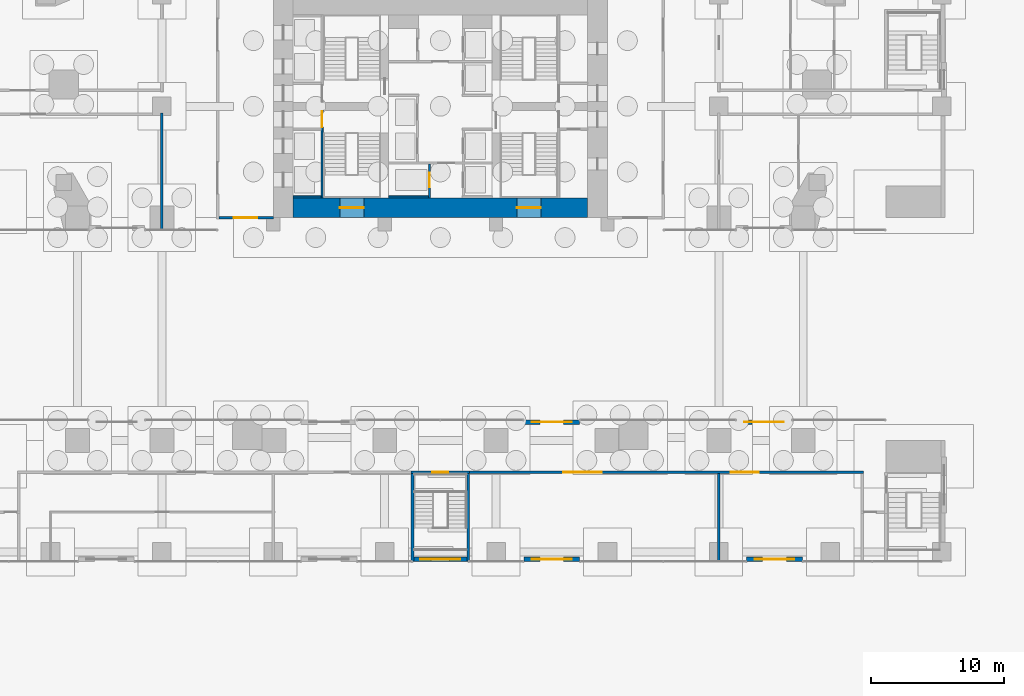
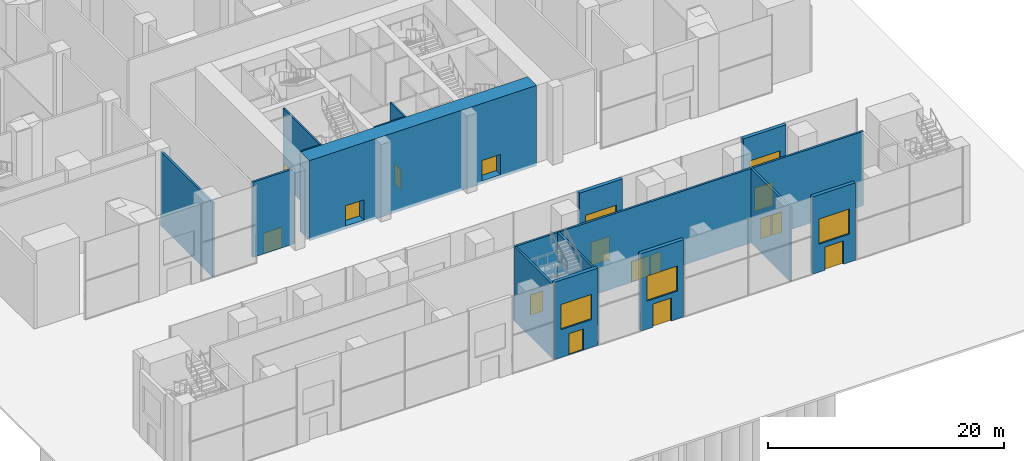
# One storey, part 14 of 31: 17 walls, 15 doors, 5 windows, 20 openings.
"""IFC4 building model written with IfcOpenShell, lengths in metres."""

from ifc_helpers import new_model, si_unit, direction, frame, frame_2d, origin, place, context, subcontext, project, spatial, rectangle, extrude, material, layer, layer_set, type_object, element, fill, save


model = new_model("IFC4")

# Units and contexts
model_context = context("Model", 3, precision=1e-05, world=origin(), true_north=direction((0.0, 1.0)))
body_context = subcontext(model_context, "Body", "Model", "MODEL_VIEW")
ifc_project = project(units=[si_unit("LENGTHUNIT", "METRE"), si_unit("AREAUNIT", "SQUARE_METRE"), si_unit("VOLUMEUNIT", "CUBIC_METRE"), si_unit("PLANEANGLEUNIT", "RADIAN"), si_unit("MASSUNIT", "GRAM", prefix="KILO")], contexts=[model_context])

# Site, building, storey
site_placement = place(None, origin())
site = spatial("IfcSite", under=ifc_project, at=site_placement, CompositionType="ELEMENT")
building_placement = place(site_placement, origin())
building = spatial("IfcBuilding", under=site, at=building_placement, Name="Marenta Gate Hotel Tower", CompositionType="ELEMENT")
storey_placement = place(building_placement, origin())
storey = spatial("IfcBuildingStorey", under=building, at=storey_placement, Name="L00", CompositionType="ELEMENT", Elevation=0.0)

# Wall, opening, door
ifc_material_1 = material(Name="Concrete blockwork", Category="masonry")
ifc_layer_1 = layer(ifc_material_1, 0.199951171875)
ifc_layer_set_1 = layer_set([ifc_layer_1], Name="Concrete blockwork")
wall_type_1 = type_object("IfcWallType", Name="Core boundary wall 200 REI 180", PredefinedType="PARTITIONING", material=ifc_layer_set_1)
wall_1_placement = place(storey_placement, frame((-16.699951171875, 0.0, 0.0), z_axis=(0.0, 0.0, 1.0), x_axis=(1.0, 0.0, 0.0)))
wall_1 = element("IfcWall", 1, at=wall_1_placement, inside=storey, type_object=wall_type_1, Name="L00-CP-EW-WS", PredefinedType="PARTITIONING", context=body_context, shape_type="SweptSolid", body=[
    extrude(rectangle(XDim=4.099853515625, YDim=0.199951171875, at=frame_2d((2.0498046875, 0.0))), origin(), (0.0, 0.0, 1.0), 7.780029296875),
])
opening_1_placement = place(wall_1_placement, frame((1.10009765625, 0.0, 0.0)))
opening_1 = element("IfcOpeningElement", 2, at=opening_1_placement, cuts=wall_1, Name="Opening XD-W", PredefinedType="OPENING", context=body_context, shape_type="SweptSolid", body=[
    extrude(rectangle(XDim=1.800048828125, YDim=2.10009765625, at=frame_2d((0.89990234375, 1.050048828125))), frame((0.0, 0.10009765625, 0.0), z_axis=(0.0, -1.0, 0.0), x_axis=(1.0, 0.0, 0.0)), (0.0, 0.0, 1.0), 0.199951171875),
])
ifc_material_2 = material(Name="Steel", Category="steel")
door_type_1 = type_object("IfcDoorType", Name="Core stair discharge door 1800x2100 EI 60", OperationType="DOUBLE_DOOR_SINGLE_SWING", PredefinedType="DOOR", material=ifc_material_2)
door_1_placement = place(opening_1_placement, frame((1.800048828125, 0.0, 0.0), z_axis=(0.0, 0.0, 1.0), x_axis=(-1.0, 0.0, 0.0)))
door_1 = element("IfcDoor", 3, at=door_1_placement, inside=storey, type_object=door_type_1, Name="XD-W", OperationType="DOUBLE_DOOR_SINGLE_SWING", OverallHeight=2.10009765625, OverallWidth=1.800048828125, PredefinedType="DOOR", context=body_context, shape_type="SweptSolid", body=[
    extrude(rectangle(XDim=1.800048828125, YDim=2.10009765625, at=frame_2d((0.89990234375, 1.050048828125))), frame((0.0, 0.02490234375, 0.0), z_axis=(0.0, -1.0, 0.0), x_axis=(1.0, 0.0, 0.0)), (0.0, 0.0, 1.0), 0.050048828125),
])
fill(opening_1, door_1)

# Wall
ifc_material_3 = material(Name="Concrete C40", Category="concrete")
ifc_layer_2 = layer(ifc_material_3, 0.14990234375)
ifc_layer_set_2 = layer_set([ifc_layer_2], Name="Concrete C40")
wall_type_2 = type_object("IfcWallType", Name="Core shaft wall 150 REI 180", PredefinedType="SHEAR", material=ifc_layer_set_2)
wall_2_placement = place(storey_placement, frame((-11.10009765625, 1.574951171875, -0.300048828125), z_axis=(0.0, 0.0, 1.0), x_axis=(1.0, 0.0, 0.0)))
element("IfcWall", 4, at=wall_2_placement, inside=storey, type_object=wall_type_2, Name="L00-SHF-SW-WS-5", PredefinedType="SHEAR", context=body_context, shape_type="SweptSolid", body=[
    extrude(rectangle(XDim=2.10009765625, YDim=0.14990234375, at=frame_2d((1.050048828125, 0.0))), origin(), (0.0, 0.0, 1.0), 8.300048828125),
])

# Wall, opening, door
wall_3_placement = place(storey_placement, frame((-0.824951171875, 1.5, -0.300048828125), z_axis=(0.0, 0.0, 1.0), x_axis=(0.0, 1.0, 0.0)))
wall_3 = element("IfcWall", 5, at=wall_3_placement, inside=storey, type_object=wall_type_2, Name="L00-SHF-CW-W-ff", PredefinedType="SHEAR", context=body_context, shape_type="SweptSolid", body=[
    extrude(rectangle(XDim=2.550048828125, YDim=0.14990234375, at=frame_2d((1.27490234375, 0.0))), origin(), (0.0, 0.0, 1.0), 8.300048828125),
])
opening_2_placement = place(wall_3_placement, frame((0.800048828125, 0.0, 0.300048828125)))
opening_2 = element("IfcOpeningElement", 6, at=opening_2_placement, cuts=wall_3, Name="Opening LD-FF1", PredefinedType="OPENING", context=body_context, shape_type="SweptSolid", body=[
    extrude(rectangle(XDim=1.10009765625, YDim=2.10009765625, at=frame_2d((0.550048828125, 1.050048828125))), frame((0.0, 0.074951171875, 0.0), z_axis=(0.0, -1.0, 0.0), x_axis=(1.0, 0.0, 0.0)), (0.0, 0.0, 1.0), 0.14990234375),
])
ifc_material_4 = material(Name="Steel", Category="steel")
door_type_2 = type_object("IfcDoorType", Name="Core lift landing door 1100x2100 E 60", OperationType="SLIDING_TO_LEFT", PredefinedType="DOOR", material=ifc_material_4)
door_2_placement = place(opening_2_placement, origin())
door_2 = element("IfcDoor", 7, at=door_2_placement, inside=storey, type_object=door_type_2, Name="LD-FF1", OperationType="SLIDING_TO_LEFT", OverallHeight=2.10009765625, OverallWidth=1.10009765625, PredefinedType="DOOR", context=body_context, shape_type="SweptSolid", body=[
    extrude(rectangle(XDim=1.10009765625, YDim=2.10009765625, at=frame_2d((0.550048828125, 1.050048828125))), frame((0.0, 0.02490234375, 0.0), z_axis=(0.0, -1.0, 0.0), x_axis=(1.0, 0.0, 0.0)), (0.0, 0.0, 1.0), 0.050048828125),
])
fill(opening_2, door_2)

# Wall
wall_4_placement = place(storey_placement, frame((-3.89990234375, 1.574951171875, -0.300048828125), z_axis=(0.0, 0.0, 1.0), x_axis=(1.0, 0.0, 0.0)))
element("IfcWall", 8, at=wall_4_placement, inside=storey, type_object=wall_type_2, Name="L00-SHF-CW-W-ffs", PredefinedType="SHEAR", context=body_context, shape_type="SweptSolid", body=[
    extrude(rectangle(XDim=3.0, YDim=0.14990234375, at=frame_2d((1.5, 0.0))), origin(), (0.0, 0.0, 1.0), 8.300048828125),
])

# Wall, opening, door
ifc_material_5 = material(Name="Concrete C40", Category="concrete")
ifc_layer_3 = layer(ifc_material_5, 0.14990234375)
ifc_layer_set_3 = layer_set([ifc_layer_3], Name="Concrete C40")
wall_type_3 = type_object("IfcWallType", Name="Core stair enclosure wall 150 REI 180", PredefinedType="SHEAR", material=ifc_layer_set_3)
wall_5_placement = place(storey_placement, frame((-8.925048828125, 1.5, 0.0), z_axis=(0.0, 0.0, 1.0), x_axis=(0.0, 1.0, 0.0)))
wall_5 = element("IfcWall", 9, at=wall_5_placement, inside=storey, type_object=wall_type_3, Name="L00-SHF-SW-WS-3", PredefinedType="SHEAR", context=body_context, shape_type="SweptSolid", body=[
    extrude(rectangle(XDim=6.60009765625, YDim=0.14990234375, at=frame_2d((3.300048828125, 0.0))), origin(), (0.0, 0.0, 1.0), 7.780029296875),
])
opening_3_placement = place(wall_5_placement, frame((5.324951171875, 0.0, 0.0)))
opening_3 = element("IfcOpeningElement", 10, at=opening_3_placement, cuts=wall_5, Name="Opening SD-WS", PredefinedType="OPENING", context=body_context, shape_type="SweptSolid", body=[
    extrude(rectangle(XDim=1.199951171875, YDim=2.10009765625, at=frame_2d((0.60009765625, 1.050048828125))), frame((0.0, 0.074951171875, 0.0), z_axis=(0.0, -1.0, 0.0), x_axis=(1.0, 0.0, 0.0)), (0.0, 0.0, 1.0), 0.14990234375),
])
ifc_material_6 = material(Name="Steel", Category="steel")
door_type_3 = type_object("IfcDoorType", Name="Core stair door 1200x2100 FD60", OperationType="SINGLE_SWING_LEFT", PredefinedType="DOOR", material=ifc_material_6)
door_3_placement = place(opening_3_placement, origin())
door_3 = element("IfcDoor", 11, at=door_3_placement, inside=storey, type_object=door_type_3, Name="SD-WS", OperationType="SINGLE_SWING_LEFT", OverallHeight=2.10009765625, OverallWidth=1.199951171875, PredefinedType="DOOR", context=body_context, shape_type="SweptSolid", body=[
    extrude(rectangle(XDim=1.199951171875, YDim=2.10009765625, at=frame_2d((0.60009765625, 1.050048828125))), frame((0.0, 0.02490234375, 0.0), z_axis=(0.0, -1.0, 0.0), x_axis=(1.0, 0.0, 0.0)), (0.0, 0.0, 1.0), 0.050048828125),
])
fill(opening_3, door_3)

# Wall, openings, doors
ifc_material_7 = material(Name="Concrete C80", Category="concrete")
ifc_layer_4 = layer(ifc_material_7, 1.5)
ifc_layer_set_4 = layer_set([ifc_layer_4], Name="Concrete C80")
wall_type_4 = type_object("IfcWallType", Name="Core wall 1500 C80", PredefinedType="SHEAR", material=ifc_layer_set_4)
wall_6_placement = place(storey_placement, frame((-11.10009765625, 0.75, -0.300048828125), z_axis=(0.0, 0.0, 1.0), x_axis=(1.0, 0.0, 0.0)))
wall_6 = element("IfcWall", 12, at=wall_6_placement, inside=storey, type_object=wall_type_4, Name="L00-CORE-S", PredefinedType="SHEAR", context=body_context, shape_type="SweptSolid", body=[
    extrude(rectangle(XDim=22.2001953125, YDim=1.5, at=frame_2d((11.10009765625, 0.0))), origin(), (0.0, 0.0, 1.0), 8.300048828125),
])
opening_4_placement = place(wall_6_placement, frame((3.52490234375, 0.0, 0.300048828125)))
opening_4 = element("IfcOpeningElement", 13, at=opening_4_placement, cuts=wall_6, Name="Opening XS-W", PredefinedType="OPENING", context=body_context, shape_type="SweptSolid", body=[
    extrude(rectangle(XDim=1.800048828125, YDim=2.10009765625, at=frame_2d((0.89990234375, 1.050048828125))), frame((0.0, 0.75, 0.0), z_axis=(0.0, -1.0, 0.0), x_axis=(1.0, 0.0, 0.0)), (0.0, 0.0, 1.0), 1.5),
])
opening_5_placement = place(wall_6_placement, frame((16.875, 0.0, 0.300048828125)))
opening_5 = element("IfcOpeningElement", 14, at=opening_5_placement, cuts=wall_6, Name="Opening XS-E", PredefinedType="OPENING", context=body_context, shape_type="SweptSolid", body=[
    extrude(rectangle(XDim=1.800048828125, YDim=2.10009765625, at=frame_2d((0.89990234375, 1.050048828125))), frame((0.0, 0.75, 0.0), z_axis=(0.0, -1.0, 0.0), x_axis=(1.0, 0.0, 0.0)), (0.0, 0.0, 1.0), 1.5),
])
door_4_placement = place(opening_4_placement, frame((1.800048828125, 0.0, 0.0), z_axis=(0.0, 0.0, 1.0), x_axis=(-1.0, 0.0, 0.0)))
door_4 = element("IfcDoor", 15, at=door_4_placement, inside=storey, type_object=door_type_1, Name="XS-W", OperationType="DOUBLE_DOOR_SINGLE_SWING", OverallHeight=2.10009765625, OverallWidth=1.800048828125, PredefinedType="DOOR", context=body_context, shape_type="SweptSolid", body=[
    extrude(rectangle(XDim=1.800048828125, YDim=2.10009765625, at=frame_2d((0.89990234375, 1.050048828125))), frame((0.0, 0.02490234375, 0.0), z_axis=(0.0, -1.0, 0.0), x_axis=(1.0, 0.0, 0.0)), (0.0, 0.0, 1.0), 0.050048828125),
])
fill(opening_4, door_4)
door_5_placement = place(opening_5_placement, frame((1.800048828125, 0.0, 0.0), z_axis=(0.0, 0.0, 1.0), x_axis=(-1.0, 0.0, 0.0)))
door_5 = element("IfcDoor", 16, at=door_5_placement, inside=storey, type_object=door_type_1, Name="XS-E", OperationType="DOUBLE_DOOR_SINGLE_SWING", OverallHeight=2.10009765625, OverallWidth=1.800048828125, PredefinedType="DOOR", context=body_context, shape_type="SweptSolid", body=[
    extrude(rectangle(XDim=1.800048828125, YDim=2.10009765625, at=frame_2d((0.89990234375, 1.050048828125))), frame((0.0, 0.02490234375, 0.0), z_axis=(0.0, -1.0, 0.0), x_axis=(1.0, 0.0, 0.0)), (0.0, 0.0, 1.0), 0.050048828125),
])
fill(opening_5, door_5)

# Wall, openings, door, window
ifc_material_8 = material(Name="Concrete C40 board-marked", Category="concrete")
ifc_layer_5 = layer(ifc_material_8, 0.35009765625)
ifc_layer_set_5 = layer_set([ifc_layer_5], Name="Concrete C40 board-marked")
wall_type_5 = type_object("IfcWallType", Name="Entrance portal wall 350 mm", PredefinedType="NOTDEFINED", material=ifc_layer_set_5)
wall_7_placement = place(storey_placement, frame((-2.10009765625, -25.763916015625, 0.0), z_axis=(0.0, 0.0, 1.0), x_axis=(1.0, 0.0, 0.0)))
wall_7 = element("IfcWall", 17, at=wall_7_placement, inside=storey, type_object=wall_type_5, Name="L00-CLD-SB-S-P2", PredefinedType="NOTDEFINED", context=body_context, shape_type="SweptSolid", body=[
    extrude(rectangle(XDim=4.2001953125, YDim=0.35009765625, at=frame_2d((2.10009765625, 0.0))), origin(), (0.0, 0.0, 1.0), 8.0),
])
opening_6_placement = place(wall_7_placement, frame((1.39990234375, 0.0, 0.0)))
opening_6 = element("IfcOpeningElement", 18, at=opening_6_placement, cuts=wall_7, Name="Opening X03", PredefinedType="OPENING", context=body_context, shape_type="SweptSolid", body=[
    extrude(rectangle(XDim=1.39990234375, YDim=2.199951171875, at=frame_2d((0.699951171875, 1.10009765625))), frame((0.0, 0.175048828125, 0.0), z_axis=(0.0, -1.0, 0.0), x_axis=(1.0, 0.0, 0.0)), (0.0, 0.0, 1.0), 0.35009765625),
])
opening_7_placement = place(wall_7_placement, frame((0.60009765625, 0.0, 2.89990234375)))
opening_7 = element("IfcOpeningElement", 19, at=opening_7_placement, cuts=wall_7, Name="Opening WT", PredefinedType="OPENING", context=body_context, shape_type="SweptSolid", body=[
    extrude(rectangle(XDim=3.0, YDim=2.60009765625, at=frame_2d((1.5, 1.300048828125))), frame((0.0, 0.175048828125, 0.0), z_axis=(0.0, -1.0, 0.0), x_axis=(1.0, 0.0, 0.0)), (0.0, 0.0, 1.0), 0.35009765625),
])
ifc_material_9 = material(Name="Bronze anodised aluminium and glass", Category="aluminium")
door_type_4 = type_object("IfcDoorType", Name="Exterior door XB 1400x2200", OperationType="NOTDEFINED", PredefinedType="DOOR", material=ifc_material_9)
door_6_placement = place(opening_6_placement, frame((1.39990234375, 0.0, 0.0), z_axis=(0.0, 0.0, 1.0), x_axis=(-1.0, 0.0, 0.0)))
door_6 = element("IfcDoor", 20, at=door_6_placement, inside=storey, type_object=door_type_4, Name="Entrance door X03", OperationType="SINGLE_SWING_LEFT", OverallHeight=2.199951171875, OverallWidth=1.39990234375, PredefinedType="DOOR", context=body_context, shape_type="SweptSolid", body=[
    extrude(rectangle(XDim=1.39990234375, YDim=2.199951171875, at=frame_2d((0.699951171875, 1.10009765625))), frame((0.0, 0.02490234375, 0.0), z_axis=(0.0, -1.0, 0.0), x_axis=(1.0, 0.0, 0.0)), (0.0, 0.0, 1.0), 0.050048828125),
])
fill(opening_6, door_6)
ifc_material_10 = material(Name="Tinted insulated glass in bronze anodised frame", Category="glass")
window_type = type_object("IfcWindowType", Name="Window WT 3000x2600 bronze frame", PartitioningType="SINGLE_PANEL", PredefinedType="WINDOW", material=ifc_material_10)
window_1_placement = place(opening_7_placement, origin())
window_1 = element("IfcWindow", 21, at=window_1_placement, inside=storey, type_object=window_type, Name="Window WT", OverallHeight=2.60009765625, OverallWidth=3.0, PartitioningType="SINGLE_PANEL", PredefinedType="WINDOW", context=body_context, shape_type="SweptSolid", body=[
    extrude(rectangle(XDim=3.0, YDim=2.60009765625, at=frame_2d((1.5, 1.300048828125))), frame((0.0, 0.030029296875, 0.0), z_axis=(0.0, -1.0, 0.0), x_axis=(1.0, 0.0, 0.0)), (0.0, 0.0, 1.0), 0.06005859375),
])
fill(opening_7, window_1)

wall_8_placement = place(storey_placement, frame((6.300048828125, -25.763916015625, 0.0), z_axis=(0.0, 0.0, 1.0), x_axis=(1.0, 0.0, 0.0)))
wall_8 = element("IfcWall", 22, at=wall_8_placement, inside=storey, type_object=wall_type_5, Name="L00-CLD-SB-S-P3", PredefinedType="NOTDEFINED", context=body_context, shape_type="SweptSolid", body=[
    extrude(rectangle(XDim=4.199951171875, YDim=0.35009765625, at=frame_2d((2.10009765625, 0.0))), origin(), (0.0, 0.0, 1.0), 8.0),
])
opening_8_placement = place(wall_8_placement, frame((1.199951171875, 0.0, 0.0)))
opening_8 = element("IfcOpeningElement", 23, at=opening_8_placement, cuts=wall_8, Name="Opening X04", PredefinedType="OPENING", context=body_context, shape_type="SweptSolid", body=[
    extrude(rectangle(XDim=1.800048828125, YDim=2.39990234375, at=frame_2d((0.89990234375, 1.199951171875))), frame((0.0, 0.175048828125, 0.0), z_axis=(0.0, -1.0, 0.0), x_axis=(1.0, 0.0, 0.0)), (0.0, 0.0, 1.0), 0.35009765625),
])
opening_9_placement = place(wall_8_placement, frame((0.60009765625, 0.0, 2.89990234375)))
opening_9 = element("IfcOpeningElement", 24, at=opening_9_placement, cuts=wall_8, Name="Opening WT", PredefinedType="OPENING", context=body_context, shape_type="SweptSolid", body=[
    extrude(rectangle(XDim=3.0, YDim=2.60009765625, at=frame_2d((1.5, 1.300048828125))), frame((0.0, 0.175048828125, 0.0), z_axis=(0.0, -1.0, 0.0), x_axis=(1.0, 0.0, 0.0)), (0.0, 0.0, 1.0), 0.35009765625),
])
ifc_material_11 = material(Name="Bronze anodised aluminium and glass", Category="aluminium")
door_type_5 = type_object("IfcDoorType", Name="Exterior door XS 1800x2400", OperationType="DOUBLE_DOOR_DOUBLE_SWING", PredefinedType="DOOR", material=ifc_material_11)
door_7_placement = place(opening_8_placement, frame((1.800048828125, 0.0, 0.0), z_axis=(0.0, 0.0, 1.0), x_axis=(-1.0, 0.0, 0.0)))
door_7 = element("IfcDoor", 25, at=door_7_placement, inside=storey, type_object=door_type_5, Name="Entrance door X04", OperationType="DOUBLE_DOOR_DOUBLE_SWING", OverallHeight=2.39990234375, OverallWidth=1.800048828125, PredefinedType="DOOR", context=body_context, shape_type="SweptSolid", body=[
    extrude(rectangle(XDim=1.800048828125, YDim=2.39990234375, at=frame_2d((0.89990234375, 1.199951171875))), frame((0.0, 0.02490234375, 0.0), z_axis=(0.0, -1.0, 0.0), x_axis=(1.0, 0.0, 0.0)), (0.0, 0.0, 1.0), 0.050048828125),
])
fill(opening_8, door_7)
window_2_placement = place(opening_9_placement, origin())
window_2 = element("IfcWindow", 26, at=window_2_placement, inside=storey, type_object=window_type, Name="Window WT", OverallHeight=2.60009765625, OverallWidth=3.0, PartitioningType="SINGLE_PANEL", PredefinedType="WINDOW", context=body_context, shape_type="SweptSolid", body=[
    extrude(rectangle(XDim=3.0, YDim=2.60009765625, at=frame_2d((1.5, 1.300048828125))), frame((0.0, 0.030029296875, 0.0), z_axis=(0.0, -1.0, 0.0), x_axis=(1.0, 0.0, 0.0)), (0.0, 0.0, 1.0), 0.06005859375),
])
fill(opening_9, window_2)

wall_9_placement = place(storey_placement, frame((23.10009765625, -25.763916015625, 0.0), z_axis=(0.0, 0.0, 1.0), x_axis=(1.0, 0.0, 0.0)))
wall_9 = element("IfcWall", 27, at=wall_9_placement, inside=storey, type_object=wall_type_5, Name="L00-CLD-SB-S-P4", PredefinedType="NOTDEFINED", context=body_context, shape_type="SweptSolid", body=[
    extrude(rectangle(XDim=4.199951171875, YDim=0.35009765625, at=frame_2d((2.10009765625, 0.0))), origin(), (0.0, 0.0, 1.0), 8.0),
])
opening_10_placement = place(wall_9_placement, frame((1.199951171875, 0.0, 0.0)))
opening_10 = element("IfcOpeningElement", 28, at=opening_10_placement, cuts=wall_9, Name="Opening X05", PredefinedType="OPENING", context=body_context, shape_type="SweptSolid", body=[
    extrude(rectangle(XDim=1.800048828125, YDim=2.39990234375, at=frame_2d((0.89990234375, 1.199951171875))), frame((0.0, 0.175048828125, 0.0), z_axis=(0.0, -1.0, 0.0), x_axis=(1.0, 0.0, 0.0)), (0.0, 0.0, 1.0), 0.35009765625),
])
opening_11_placement = place(wall_9_placement, frame((0.60009765625, 0.0, 2.89990234375)))
opening_11 = element("IfcOpeningElement", 29, at=opening_11_placement, cuts=wall_9, Name="Opening WT", PredefinedType="OPENING", context=body_context, shape_type="SweptSolid", body=[
    extrude(rectangle(XDim=3.0, YDim=2.60009765625, at=frame_2d((1.5, 1.300048828125))), frame((0.0, 0.175048828125, 0.0), z_axis=(0.0, -1.0, 0.0), x_axis=(1.0, 0.0, 0.0)), (0.0, 0.0, 1.0), 0.35009765625),
])
door_8_placement = place(opening_10_placement, frame((1.800048828125, 0.0, 0.0), z_axis=(0.0, 0.0, 1.0), x_axis=(-1.0, 0.0, 0.0)))
door_8 = element("IfcDoor", 30, at=door_8_placement, inside=storey, type_object=door_type_5, Name="Entrance door X05", OperationType="DOUBLE_DOOR_DOUBLE_SWING", OverallHeight=2.39990234375, OverallWidth=1.800048828125, PredefinedType="DOOR", context=body_context, shape_type="SweptSolid", body=[
    extrude(rectangle(XDim=1.800048828125, YDim=2.39990234375, at=frame_2d((0.89990234375, 1.199951171875))), frame((0.0, 0.02490234375, 0.0), z_axis=(0.0, -1.0, 0.0), x_axis=(1.0, 0.0, 0.0)), (0.0, 0.0, 1.0), 0.050048828125),
])
fill(opening_10, door_8)
window_3_placement = place(opening_11_placement, origin())
window_3 = element("IfcWindow", 31, at=window_3_placement, inside=storey, type_object=window_type, Name="Window WT", OverallHeight=2.60009765625, OverallWidth=3.0, PartitioningType="SINGLE_PANEL", PredefinedType="WINDOW", context=body_context, shape_type="SweptSolid", body=[
    extrude(rectangle(XDim=3.0, YDim=2.60009765625, at=frame_2d((1.5, 1.300048828125))), frame((0.0, 0.030029296875, 0.0), z_axis=(0.0, -1.0, 0.0), x_axis=(1.0, 0.0, 0.0)), (0.0, 0.0, 1.0), 0.06005859375),
])
fill(opening_11, window_3)

wall_10_placement = place(storey_placement, frame((10.5, -15.410888671875, 0.0), z_axis=(0.0, 0.0, 1.0), x_axis=(-1.0, 0.0, 0.0)))
wall_10 = element("IfcWall", 32, at=wall_10_placement, inside=storey, type_object=wall_type_5, Name="L00-CLD-SB-N-P2", PredefinedType="NOTDEFINED", context=body_context, shape_type="SweptSolid", body=[
    extrude(rectangle(XDim=4.199951171875, YDim=0.35009765625, at=frame_2d((2.10009765625, 0.0))), origin(), (0.0, 0.0, 1.0), 8.0),
])
opening_12_placement = place(wall_10_placement, frame((1.199951171875, 0.0, 0.0)))
opening_12 = element("IfcOpeningElement", 33, at=opening_12_placement, cuts=wall_10, Name="Opening X09", PredefinedType="OPENING", context=body_context, shape_type="SweptSolid", body=[
    extrude(rectangle(XDim=1.800048828125, YDim=2.39990234375, at=frame_2d((0.89990234375, 1.199951171875))), frame((0.0, 0.175048828125, 0.0), z_axis=(0.0, -1.0, 0.0), x_axis=(1.0, 0.0, 0.0)), (0.0, 0.0, 1.0), 0.35009765625),
])
opening_13_placement = place(wall_10_placement, frame((0.60009765625, 0.0, 2.89990234375)))
opening_13 = element("IfcOpeningElement", 34, at=opening_13_placement, cuts=wall_10, Name="Opening WT", PredefinedType="OPENING", context=body_context, shape_type="SweptSolid", body=[
    extrude(rectangle(XDim=3.0, YDim=2.60009765625, at=frame_2d((1.5, 1.300048828125))), frame((0.0, 0.175048828125, 0.0), z_axis=(0.0, -1.0, 0.0), x_axis=(1.0, 0.0, 0.0)), (0.0, 0.0, 1.0), 0.35009765625),
])
door_9_placement = place(opening_12_placement, frame((1.800048828125, 0.0, 0.0), z_axis=(0.0, 0.0, 1.0), x_axis=(-1.0, 0.0, 0.0)))
door_9 = element("IfcDoor", 35, at=door_9_placement, inside=storey, type_object=door_type_5, Name="Entrance door X09", OperationType="DOUBLE_DOOR_DOUBLE_SWING", OverallHeight=2.39990234375, OverallWidth=1.800048828125, PredefinedType="DOOR", context=body_context, shape_type="SweptSolid", body=[
    extrude(rectangle(XDim=1.800048828125, YDim=2.39990234375, at=frame_2d((0.89990234375, 1.199951171875))), frame((0.0, 0.02490234375, 0.0), z_axis=(0.0, -1.0, 0.0), x_axis=(1.0, 0.0, 0.0)), (0.0, 0.0, 1.0), 0.050048828125),
])
fill(opening_12, door_9)
window_4_placement = place(opening_13_placement, origin())
window_4 = element("IfcWindow", 36, at=window_4_placement, inside=storey, type_object=window_type, Name="Window WT", OverallHeight=2.60009765625, OverallWidth=3.0, PartitioningType="SINGLE_PANEL", PredefinedType="WINDOW", context=body_context, shape_type="SweptSolid", body=[
    extrude(rectangle(XDim=3.0, YDim=2.60009765625, at=frame_2d((1.5, 1.300048828125))), frame((0.0, 0.030029296875, 0.0), z_axis=(0.0, -1.0, 0.0), x_axis=(1.0, 0.0, 0.0)), (0.0, 0.0, 1.0), 0.06005859375),
])
fill(opening_13, window_4)

wall_11_placement = place(storey_placement, frame((26.5, -15.410888671875, 0.0), z_axis=(0.0, 0.0, 1.0), x_axis=(-1.0, 0.0, 0.0)))
wall_11 = element("IfcWall", 37, at=wall_11_placement, inside=storey, type_object=wall_type_5, Name="L00-CLD-SB-N-P3", PredefinedType="NOTDEFINED", context=body_context, shape_type="SweptSolid", body=[
    extrude(rectangle(XDim=4.199951171875, YDim=0.35009765625, at=frame_2d((2.10009765625, 0.0))), origin(), (0.0, 0.0, 1.0), 8.0),
])
opening_14_placement = place(wall_11_placement, frame((1.199951171875, 0.0, 0.0)))
opening_14 = element("IfcOpeningElement", 38, at=opening_14_placement, cuts=wall_11, Name="Opening X10", PredefinedType="OPENING", context=body_context, shape_type="SweptSolid", body=[
    extrude(rectangle(XDim=1.800048828125, YDim=2.39990234375, at=frame_2d((0.89990234375, 1.199951171875))), frame((0.0, 0.175048828125, 0.0), z_axis=(0.0, -1.0, 0.0), x_axis=(1.0, 0.0, 0.0)), (0.0, 0.0, 1.0), 0.35009765625),
])
opening_15_placement = place(wall_11_placement, frame((0.60009765625, 0.0, 2.89990234375)))
opening_15 = element("IfcOpeningElement", 39, at=opening_15_placement, cuts=wall_11, Name="Opening WT", PredefinedType="OPENING", context=body_context, shape_type="SweptSolid", body=[
    extrude(rectangle(XDim=3.0, YDim=2.60009765625, at=frame_2d((1.5, 1.300048828125))), frame((0.0, 0.175048828125, 0.0), z_axis=(0.0, -1.0, 0.0), x_axis=(1.0, 0.0, 0.0)), (0.0, 0.0, 1.0), 0.35009765625),
])
door_10_placement = place(opening_14_placement, frame((1.800048828125, 0.0, 0.0), z_axis=(0.0, 0.0, 1.0), x_axis=(-1.0, 0.0, 0.0)))
door_10 = element("IfcDoor", 40, at=door_10_placement, inside=storey, type_object=door_type_5, Name="Entrance door X10", OperationType="DOUBLE_DOOR_DOUBLE_SWING", OverallHeight=2.39990234375, OverallWidth=1.800048828125, PredefinedType="DOOR", context=body_context, shape_type="SweptSolid", body=[
    extrude(rectangle(XDim=1.800048828125, YDim=2.39990234375, at=frame_2d((0.89990234375, 1.199951171875))), frame((0.0, 0.02490234375, 0.0), z_axis=(0.0, -1.0, 0.0), x_axis=(1.0, 0.0, 0.0)), (0.0, 0.0, 1.0), 0.050048828125),
])
fill(opening_14, door_10)
window_5_placement = place(opening_15_placement, origin())
window_5 = element("IfcWindow", 41, at=window_5_placement, inside=storey, type_object=window_type, Name="Window WT", OverallHeight=2.60009765625, OverallWidth=3.0, PartitioningType="SINGLE_PANEL", PredefinedType="WINDOW", context=body_context, shape_type="SweptSolid", body=[
    extrude(rectangle(XDim=3.0, YDim=2.60009765625, at=frame_2d((1.5, 1.300048828125))), frame((0.0, 0.030029296875, 0.0), z_axis=(0.0, -1.0, 0.0), x_axis=(1.0, 0.0, 0.0)), (0.0, 0.0, 1.0), 0.06005859375),
])
fill(opening_15, window_5)

# Wall, openings, doors
ifc_material_12 = material(Name="Gypsum board on steel stud", Category="steel")
ifc_layer_6 = layer(ifc_material_12, 0.199951171875)
ifc_layer_set_6 = layer_set([ifc_layer_6], Name="Gypsum board on steel stud")
wall_type_6 = type_object("IfcWallType", Name="Room corridor wall 200 EI 60", PredefinedType="PARTITIONING", material=ifc_layer_set_6)
wall_12_placement = place(storey_placement, frame((2.199951171875, -19.199951171875, 0.0), z_axis=(0.0, 0.0, 1.0), x_axis=(1.0, 0.0, 0.0)))
wall_12 = element("IfcWall", 42, at=wall_12_placement, inside=storey, type_object=wall_type_6, Name="L00-PTN-W023", PredefinedType="PARTITIONING", context=body_context, shape_type="SweptSolid", body=[
    extrude(rectangle(XDim=29.699951171875, YDim=0.199951171875, at=frame_2d((14.85009765625, 0.0))), origin(), (0.0, 0.0, 1.0), 7.679931640625),
])
opening_16_placement = place(wall_12_placement, frame((8.949951171875, 0.0, 0.0)))
opening_16 = element("IfcOpeningElement", 43, at=opening_16_placement, cuts=wall_12, Name="Opening S01-34", PredefinedType="OPENING", context=body_context, shape_type="SweptSolid", body=[
    extrude(rectangle(XDim=1.0, YDim=2.10009765625, at=frame_2d((0.5, 1.050048828125))), frame((0.0, 0.10009765625, 0.0), z_axis=(0.0, -1.0, 0.0), x_axis=(1.0, 0.0, 0.0)), (0.0, 0.0, 1.0), 0.199951171875),
])
opening_17_placement = place(wall_12_placement, frame((7.050048828125, 0.0, 0.0)))
opening_17 = element("IfcOpeningElement", 44, at=opening_17_placement, cuts=wall_12, Name="Opening S01-35", PredefinedType="OPENING", context=body_context, shape_type="SweptSolid", body=[
    extrude(rectangle(XDim=1.800048828125, YDim=2.10009765625, at=frame_2d((0.89990234375, 1.050048828125))), frame((0.0, 0.10009765625, 0.0), z_axis=(0.0, -1.0, 0.0), x_axis=(1.0, 0.0, 0.0)), (0.0, 0.0, 1.0), 0.199951171875),
])
opening_18_placement = place(wall_12_placement, frame((19.699951171875, 0.0, 0.0)))
opening_18 = element("IfcOpeningElement", 45, at=opening_18_placement, cuts=wall_12, Name="Opening S01-36", PredefinedType="OPENING", context=body_context, shape_type="SweptSolid", body=[
    extrude(rectangle(XDim=1.0, YDim=2.10009765625, at=frame_2d((0.5, 1.050048828125))), frame((0.0, 0.10009765625, 0.0), z_axis=(0.0, -1.0, 0.0), x_axis=(1.0, 0.0, 0.0)), (0.0, 0.0, 1.0), 0.199951171875),
])
opening_19_placement = place(wall_12_placement, frame((20.800048828125, 0.0, 0.0)))
opening_19 = element("IfcOpeningElement", 46, at=opening_19_placement, cuts=wall_12, Name="Opening S01-37", PredefinedType="OPENING", context=body_context, shape_type="SweptSolid", body=[
    extrude(rectangle(XDim=1.0, YDim=2.10009765625, at=frame_2d((0.5, 1.050048828125))), frame((0.0, 0.10009765625, 0.0), z_axis=(0.0, -1.0, 0.0), x_axis=(1.0, 0.0, 0.0)), (0.0, 0.0, 1.0), 0.199951171875),
])
ifc_material_13 = material(Name="Timber door leaf", Category="wood")
door_type_6 = type_object("IfcDoorType", Name="Room amenity door 1000x2100 EI 30", OperationType="NOTDEFINED", PredefinedType="DOOR", material=ifc_material_13)
door_11_placement = place(opening_16_placement, origin())
door_11 = element("IfcDoor", 47, at=door_11_placement, inside=storey, type_object=door_type_6, Name="L00-PD-D034", OperationType="SINGLE_SWING_RIGHT", OverallHeight=2.10009765625, OverallWidth=1.0, PredefinedType="DOOR", context=body_context, shape_type="SweptSolid", body=[
    extrude(rectangle(XDim=1.0, YDim=2.10009765625, at=frame_2d((0.5, 1.050048828125))), frame((0.0, 0.02490234375, 0.0), z_axis=(0.0, -1.0, 0.0), x_axis=(1.0, 0.0, 0.0)), (0.0, 0.0, 1.0), 0.050048828125),
])
fill(opening_16, door_11)
door_12_placement = place(opening_18_placement, origin())
door_12 = element("IfcDoor", 48, at=door_12_placement, inside=storey, type_object=door_type_6, Name="L00-PD-D036", OperationType="SINGLE_SWING_LEFT", OverallHeight=2.10009765625, OverallWidth=1.0, PredefinedType="DOOR", context=body_context, shape_type="SweptSolid", body=[
    extrude(rectangle(XDim=1.0, YDim=2.10009765625, at=frame_2d((0.5, 1.050048828125))), frame((0.0, 0.02490234375, 0.0), z_axis=(0.0, -1.0, 0.0), x_axis=(1.0, 0.0, 0.0)), (0.0, 0.0, 1.0), 0.050048828125),
])
fill(opening_18, door_12)
door_13_placement = place(opening_19_placement, origin())
door_13 = element("IfcDoor", 49, at=door_13_placement, inside=storey, type_object=door_type_6, Name="L00-PD-D037", OperationType="SINGLE_SWING_LEFT", OverallHeight=2.10009765625, OverallWidth=1.0, PredefinedType="DOOR", context=body_context, shape_type="SweptSolid", body=[
    extrude(rectangle(XDim=1.0, YDim=2.10009765625, at=frame_2d((0.5, 1.050048828125))), frame((0.0, 0.02490234375, 0.0), z_axis=(0.0, -1.0, 0.0), x_axis=(1.0, 0.0, 0.0)), (0.0, 0.0, 1.0), 0.050048828125),
])
fill(opening_19, door_13)
ifc_material_14 = material(Name="Timber door leaf", Category="wood")
door_type_7 = type_object("IfcDoorType", Name="Room amenity door 1800x2100 EI 30", OperationType="DOUBLE_DOOR_SINGLE_SWING", PredefinedType="DOOR", material=ifc_material_14)
door_14_placement = place(opening_17_placement, origin())
door_14 = element("IfcDoor", 50, at=door_14_placement, inside=storey, type_object=door_type_7, Name="L00-PD-D035", OperationType="DOUBLE_DOOR_SINGLE_SWING", OverallHeight=2.10009765625, OverallWidth=1.800048828125, PredefinedType="DOOR", context=body_context, shape_type="SweptSolid", body=[
    extrude(rectangle(XDim=1.800048828125, YDim=2.10009765625, at=frame_2d((0.89990234375, 1.050048828125))), frame((0.0, 0.02490234375, 0.0), z_axis=(0.0, -1.0, 0.0), x_axis=(1.0, 0.0, 0.0)), (0.0, 0.0, 1.0), 0.050048828125),
])
fill(opening_17, door_14)

# Wall
wall_13_placement = place(storey_placement, frame((-21.0, -0.89404296875, 0.0), z_axis=(0.0, 0.0, 1.0), x_axis=(0.0, 1.0, 0.0)))
element("IfcWall", 51, at=wall_13_placement, inside=storey, type_object=wall_type_6, Name="L00-PTN-W056", PredefinedType="PARTITIONING", context=body_context, shape_type="SweptSolid", body=[
    extrude(rectangle(XDim=8.7939453125, YDim=0.199951171875, at=frame_2d((4.39697265625, 0.0))), origin(), (0.0, 0.0, 1.0), 7.679931640625),
])

# Wall, opening, door
ifc_material_15 = material(Name="Concrete blockwork", Category="masonry")
ifc_layer_7 = layer(ifc_material_15, 0.199951171875)
ifc_layer_set_7 = layer_set([ifc_layer_7], Name="Concrete blockwork")
wall_type_7 = type_object("IfcWallType", Name="Room corridor wall 200 REI 180", PredefinedType="PARTITIONING", material=ifc_layer_set_7)
wall_14_placement = place(storey_placement, frame((-2.199951171875, -19.199951171875, 0.0), z_axis=(0.0, 0.0, 1.0), x_axis=(1.0, 0.0, 0.0)))
wall_14 = element("IfcWall", 52, at=wall_14_placement, inside=storey, type_object=wall_type_7, Name="L00-PTN-W024", PredefinedType="PARTITIONING", context=body_context, shape_type="SweptSolid", body=[
    extrude(rectangle(XDim=4.39990234375, YDim=0.199951171875, at=frame_2d((2.199951171875, 0.0))), origin(), (0.0, 0.0, 1.0), 7.679931640625),
])
opening_20_placement = place(wall_14_placement, frame((1.60009765625, 0.0, 0.0)))
opening_20 = element("IfcOpeningElement", 53, at=opening_20_placement, cuts=wall_14, Name="Opening S01-38", PredefinedType="OPENING", context=body_context, shape_type="SweptSolid", body=[
    extrude(rectangle(XDim=1.199951171875, YDim=2.10009765625, at=frame_2d((0.60009765625, 1.050048828125))), frame((0.0, 0.10009765625, 0.0), z_axis=(0.0, -1.0, 0.0), x_axis=(1.0, 0.0, 0.0)), (0.0, 0.0, 1.0), 0.199951171875),
])
ifc_material_16 = material(Name="Hollow steel door set", Category="steel")
door_type_8 = type_object("IfcDoorType", Name="Podium stair door 1200x2100 EI 60", OperationType="NOTDEFINED", PredefinedType="DOOR", material=ifc_material_16)
door_15_placement = place(opening_20_placement, origin())
door_15 = element("IfcDoor", 54, at=door_15_placement, inside=storey, type_object=door_type_8, Name="L00-PD-D038", OperationType="SINGLE_SWING_RIGHT", OverallHeight=2.10009765625, OverallWidth=1.199951171875, PredefinedType="DOOR", context=body_context, shape_type="SweptSolid", body=[
    extrude(rectangle(XDim=1.199951171875, YDim=2.10009765625, at=frame_2d((0.60009765625, 1.050048828125))), frame((0.0, 0.02490234375, 0.0), z_axis=(0.0, -1.0, 0.0), x_axis=(1.0, 0.0, 0.0)), (0.0, 0.0, 1.0), 0.050048828125),
])
fill(opening_20, door_15)

# Walls
ifc_material_17 = material(Name="Gypsum board on steel stud", Category="steel")
ifc_layer_8 = layer(ifc_material_17, 0.199951171875)
ifc_layer_set_8 = layer_set([ifc_layer_8], Name="Gypsum board on steel stud")
wall_type_8 = type_object("IfcWallType", Name="Room party wall 200 EI 60", PredefinedType="PARTITIONING", material=ifc_layer_set_8)
wall_15_placement = place(storey_placement, frame((21.0, -25.888916015625, 0.0), z_axis=(0.0, 0.0, 1.0), x_axis=(0.0, 1.0, 0.0)))
element("IfcWall", 55, at=wall_15_placement, inside=storey, type_object=wall_type_8, Name="L00-PTN-W017", PredefinedType="PARTITIONING", context=body_context, shape_type="SweptSolid", body=[
    extrude(rectangle(XDim=6.5888671875, YDim=0.199951171875, at=frame_2d((3.29443359375, 0.0))), origin(), (0.0, 0.0, 1.0), 7.679931640625),
])
ifc_material_18 = material(Name="Concrete blockwork", Category="masonry")
ifc_layer_9 = layer(ifc_material_18, 0.199951171875)
ifc_layer_set_9 = layer_set([ifc_layer_9], Name="Concrete blockwork")
wall_type_9 = type_object("IfcWallType", Name="Room party wall 200 REI 180", PredefinedType="PARTITIONING", material=ifc_layer_set_9)
for number, where, z_axis, x_axis, name in (
    (56, (2.10009765625, -25.888916015625, 0.0), (0.0, 0.0, 1.0), (0.0, 1.0, 0.0), "L00-PTN-W033"),
    (57, (-2.10009765625, -25.888916015625, 0.0), (0.0, 0.0, 1.0), (0.0, 1.0, 0.0), "L00-PTN-W036"),
):
    element("IfcWall", number, at=place(storey_placement, frame(where, z_axis=z_axis, x_axis=x_axis)), inside=storey, type_object=wall_type_9, Name=name, PredefinedType="PARTITIONING", context=body_context, shape_type="SweptSolid", body=[
        extrude(rectangle(XDim=6.5888671875, YDim=0.199951171875, at=frame_2d((3.29443359375, 0.0))), origin(), (0.0, 0.0, 1.0), 7.679931640625),
    ])

save(model, "model.ifc")
